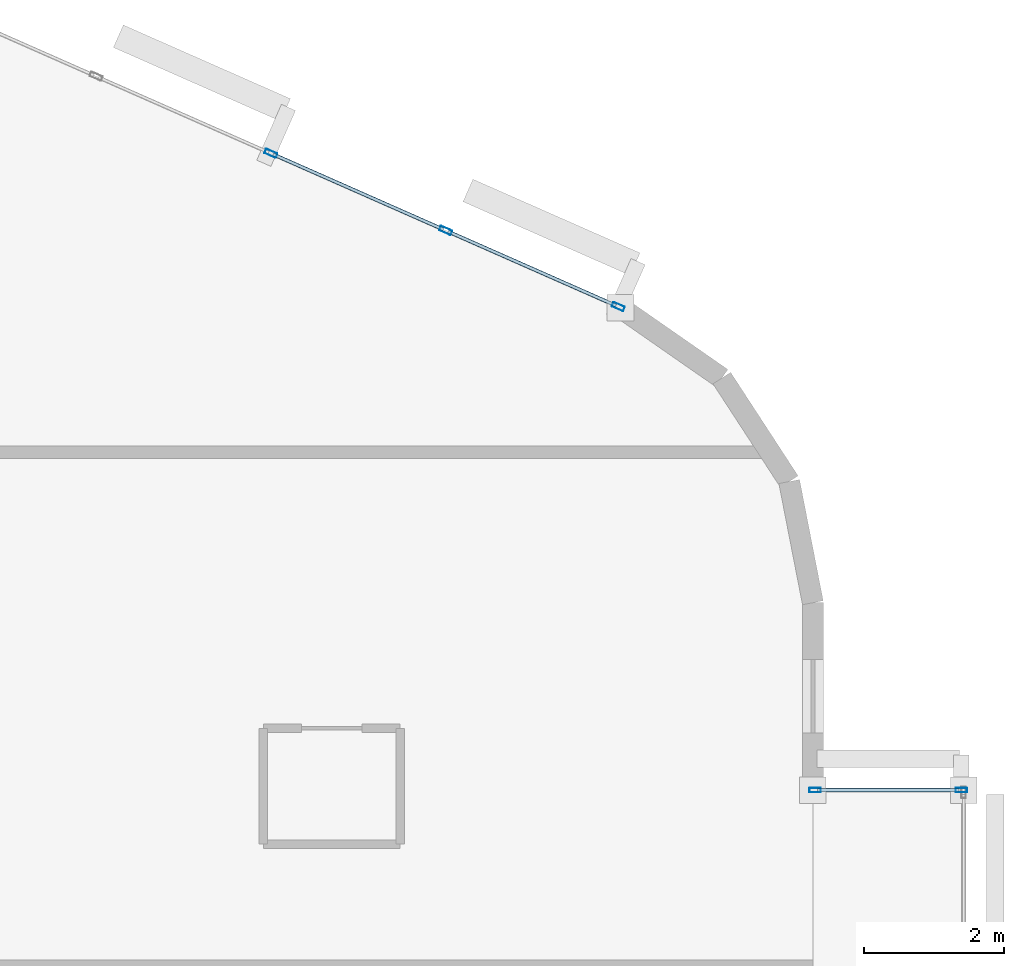
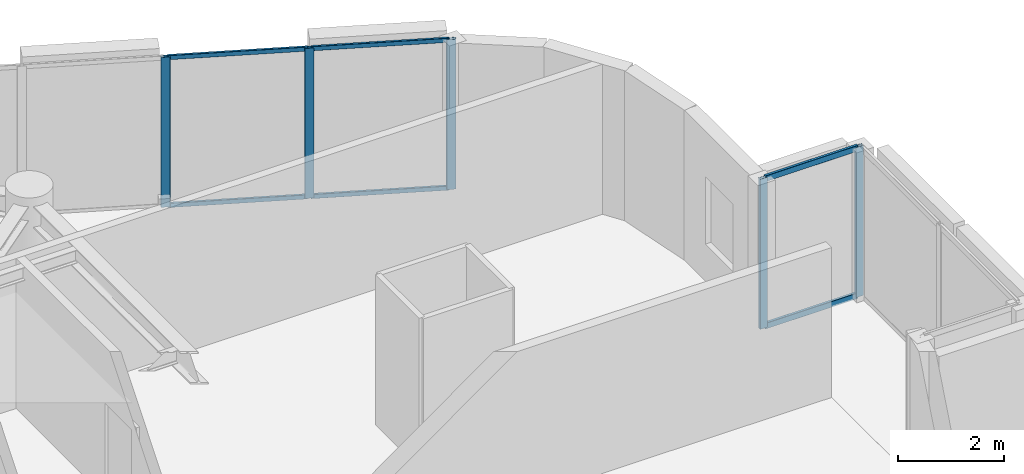
# One storey, part 7 of 13: 11 members, 2 elements without a shape of their own.
"""IFC4 building model written with IfcOpenShell, lengths in metres."""

from ifc_helpers import new_model, si_unit, direction, frame, origin, origin_2d, place, context, subcontext, project, spatial, hollow_rectangle, extrude, material, layer, layer_set, material_profile, profile_set, type_object, element, aggregate, save


model = new_model("IFC4")

# Units and contexts
model_context = context("Model", 3, precision=1e-05, world=origin(), true_north=direction((0.0, 1.0)))
body_context = subcontext(model_context, "Body", "Model", "MODEL_VIEW")
ifc_project = project(units=[si_unit("LENGTHUNIT", "METRE"), si_unit("AREAUNIT", "SQUARE_METRE"), si_unit("VOLUMEUNIT", "CUBIC_METRE"), si_unit("PLANEANGLEUNIT", "RADIAN"), si_unit("MASSUNIT", "GRAM", prefix="KILO")], contexts=[model_context])

# Site, building, storey
site_placement = place(None, origin())
site = spatial("IfcSite", under=ifc_project, at=site_placement, CompositionType="ELEMENT")
building_placement = place(site_placement, origin())
building = spatial("IfcBuilding", under=site, at=building_placement, Name="An Khanh Terracotta Commons", CompositionType="ELEMENT")
storey_placement = place(building_placement, frame((0.0, 0.0, 266.10009765625)))
storey = spatial("IfcBuildingStorey", under=building, at=storey_placement, Name="L69", CompositionType="ELEMENT", Elevation=266.10009765625)

# Curtain wall, members
ifc_material = material(Name="Anodised Aluminium 6063-T6", Category="aluminium")
ifc_layer_1 = layer(ifc_material, 0.239990234375, Name="Anodised Aluminium 6063-T6")
ifc_layer_set_1 = layer_set([ifc_layer_1], Name="Anodised Aluminium 6063-T6")
curtain_wall_type_1 = type_object("IfcCurtainWallType", Name="CW-SYS-04", PredefinedType="USERDEFINED", material=ifc_layer_set_1)
curtain_wall_1_placement = place(storey_placement, origin())
curtain_wall_1 = element("IfcCurtainWall", 1, at=curtain_wall_1_placement, inside=storey, type_object=curtain_wall_type_1, Name="L69 CW-04 Unitised Curtain Wall CW-L69-EBOX-3", ObjectType="UNITISED CURTAIN WALL", PredefinedType="USERDEFINED")
ifc_material_profile_1 = material_profile(ifc_material, hollow_rectangle(XDim=0.06494140625, YDim=0.1650390625, WallThickness=0.00390625, InnerFilletRadius=0.00390625, OuterFilletRadius=0.008056640625, at=origin_2d()), Name="RHS165x65x4")
ifc_profile_set_1 = profile_set([ifc_material_profile_1], Name="Anodised Aluminium 6063-T6")
member_type_1 = type_object("IfcMemberType", Name="CWM-RHS165x65x4", PredefinedType="MULLION", material=ifc_profile_set_1)
member_1_placement = place(storey_placement, frame((77.717529296875, 25.530029296875, 0.0), z_axis=(0.0, 0.0, 1.0), x_axis=(0.0, -1.0, 0.0)))
member_1 = element("IfcMember", 2, at=member_1_placement, type_object=member_type_1, Name="CW-04 mullion 1", PredefinedType="MULLION", context=body_context, shape_type="SweptSolid", body=[
    extrude(hollow_rectangle(XDim=0.06494140625, YDim=0.1650390625, WallThickness=0.00390625, InnerFilletRadius=0.00390625, OuterFilletRadius=0.008056640625, at=origin_2d()), origin(), (0.0, 0.0, 1.0), 3.449951171875),
])
member_2_placement = place(storey_placement, frame((75.632568359375, 25.530029296875, 0.0), z_axis=(0.0, 0.0, 1.0), x_axis=(0.0, -1.0, 0.0)))
member_2 = element("IfcMember", 3, at=member_2_placement, type_object=member_type_1, Name="CW-04 mullion 2", PredefinedType="MULLION", context=body_context, shape_type="SweptSolid", body=[
    extrude(hollow_rectangle(XDim=0.06494140625, YDim=0.1650390625, WallThickness=0.00390625, InnerFilletRadius=0.00390625, OuterFilletRadius=0.008056640625, at=origin_2d()), origin(), (0.0, 0.0, 1.0), 3.449951171875),
])

ifc_layer_2 = layer(ifc_material, 0.2099609375, Name="Anodised Aluminium 6063-T6")
ifc_layer_set_2 = layer_set([ifc_layer_2], Name="Anodised Aluminium 6063-T6")
curtain_wall_type_2 = type_object("IfcCurtainWallType", Name="CW-SYS-03", PredefinedType="USERDEFINED", material=ifc_layer_set_2)
curtain_wall_2_placement = place(storey_placement, origin())
curtain_wall_2 = element("IfcCurtainWall", 4, at=curtain_wall_2_placement, inside=storey, type_object=curtain_wall_type_2, Name="L69 CW-03 Unitised Curtain Wall CW-L69-16", ObjectType="UNITISED CURTAIN WALL", PredefinedType="USERDEFINED")
ifc_material_profile_2 = material_profile(ifc_material, hollow_rectangle(XDim=0.070068359375, YDim=0.179931640625, WallThickness=0.00390625, InnerFilletRadius=0.00390625, OuterFilletRadius=0.008056640625, at=origin_2d()), Name="RHS180x70x4")
ifc_profile_set_2 = profile_set([ifc_material_profile_2], Name="Anodised Aluminium 6063-T6")
member_type_2 = type_object("IfcMemberType", Name="CWM-RHS180x70x4", PredefinedType="MULLION", material=ifc_profile_set_2)
member_3_placement = place(storey_placement, frame((72.824951171875, 32.424072265625, 0.0), z_axis=(0.0, 0.0, 1.0), x_axis=(-0.403676354285, -0.914901853201, 0.0)))
member_3 = element("IfcMember", 5, at=member_3_placement, type_object=member_type_2, Name="CW-03 mullion 1", PredefinedType="MULLION", context=body_context, shape_type="SweptSolid", body=[
    extrude(hollow_rectangle(XDim=0.070068359375, YDim=0.179931640625, WallThickness=0.00390625, InnerFilletRadius=0.00390625, OuterFilletRadius=0.008056640625, at=origin_2d()), origin(), (0.0, 0.0, 1.0), 3.449951171875),
])
member_4_placement = place(storey_placement, frame((70.364501953125, 33.509765625, 0.0), z_axis=(0.0, 0.0, 1.0), x_axis=(-0.403676354285, -0.914901853201, 0.0)))
member_4 = element("IfcMember", 6, at=member_4_placement, type_object=member_type_2, Name="CW-03 mullion 2", PredefinedType="MULLION", context=body_context, shape_type="SweptSolid", body=[
    extrude(hollow_rectangle(XDim=0.070068359375, YDim=0.179931640625, WallThickness=0.00390625, InnerFilletRadius=0.00390625, OuterFilletRadius=0.008056640625, at=origin_2d()), origin(), (0.0, 0.0, 1.0), 3.449951171875),
])
member_5_placement = place(storey_placement, frame((67.8720703125, 34.609619140625, 0.0), z_axis=(0.0, 0.0, 1.0), x_axis=(-0.403676354285, -0.914901853201, 0.0)))
member_5 = element("IfcMember", 7, at=member_5_placement, type_object=member_type_2, Name="CW-03 mullion 3", PredefinedType="MULLION", context=body_context, shape_type="SweptSolid", body=[
    extrude(hollow_rectangle(XDim=0.070068359375, YDim=0.179931640625, WallThickness=0.00390625, InnerFilletRadius=0.00390625, OuterFilletRadius=0.008056640625, at=origin_2d()), origin(), (0.0, 0.0, 1.0), 3.449951171875),
])
ifc_material_profile_3 = material_profile(ifc_material, hollow_rectangle(XDim=0.050048828125, YDim=0.10009765625, WallThickness=0.003173828125, InnerFilletRadius=0.003173828125, OuterFilletRadius=0.00634765625, at=origin_2d()), Name="RHS100x50x3.2")
ifc_profile_set_3 = profile_set([ifc_material_profile_3], Name="Anodised Aluminium 6063-T6")
member_type_3 = type_object("IfcMemberType", Name="CWT-RHS100x50x3.2", PredefinedType="USERDEFINED", material=ifc_profile_set_3)
member_6_placement = place(storey_placement, frame((72.79296875, 32.438232421875, 0.02490234375), z_axis=(-0.914903627858, 0.403672332137, 0.0), x_axis=(-0.403672332137, -0.914903627858, 0.0)))
member_6 = element("IfcMember", 8, at=member_6_placement, type_object=member_type_3, Name="CW-03 transom 1.1", ObjectType="TRANSOM", PredefinedType="USERDEFINED", context=body_context, shape_type="SweptSolid", body=[
    extrude(hollow_rectangle(XDim=0.050048828125, YDim=0.10009765625, WallThickness=0.003173828125, InnerFilletRadius=0.003173828125, OuterFilletRadius=0.00634765625, at=origin_2d()), origin(), (0.0, 0.0, 1.0), 2.619384765625),
])
member_7_placement = place(storey_placement, frame((72.79296875, 32.438232421875, 3.4248046875), z_axis=(-0.914903627858, 0.403672332137, 0.0), x_axis=(-0.403672332137, -0.914903627858, 0.0)))
member_7 = element("IfcMember", 9, at=member_7_placement, type_object=member_type_3, Name="CW-03 transom 1.2", ObjectType="TRANSOM", PredefinedType="USERDEFINED", context=body_context, shape_type="SweptSolid", body=[
    extrude(hollow_rectangle(XDim=0.050048828125, YDim=0.10009765625, WallThickness=0.003173828125, InnerFilletRadius=0.003173828125, OuterFilletRadius=0.00634765625, at=origin_2d()), origin(), (0.0, 0.0, 1.0), 2.619384765625),
])
member_8_placement = place(storey_placement, frame((70.33251953125, 33.52392578125, 0.02490234375), z_axis=(-0.914896820753, 0.403687759755, 0.0), x_axis=(-0.403687759755, -0.914896820753, 0.0)))
member_8 = element("IfcMember", 10, at=member_8_placement, type_object=member_type_3, Name="CW-03 transom 2.1", ObjectType="TRANSOM", PredefinedType="USERDEFINED", context=body_context, shape_type="SweptSolid", body=[
    extrude(hollow_rectangle(XDim=0.050048828125, YDim=0.10009765625, WallThickness=0.003173828125, InnerFilletRadius=0.003173828125, OuterFilletRadius=0.00634765625, at=origin_2d()), origin(), (0.0, 0.0, 1.0), 2.654296875),
])
member_9_placement = place(storey_placement, frame((70.33251953125, 33.52392578125, 3.4248046875), z_axis=(-0.914896820753, 0.403687759755, 0.0), x_axis=(-0.403687759755, -0.914896820753, 0.0)))
member_9 = element("IfcMember", 11, at=member_9_placement, type_object=member_type_3, Name="CW-03 transom 2.2", ObjectType="TRANSOM", PredefinedType="USERDEFINED", context=body_context, shape_type="SweptSolid", body=[
    extrude(hollow_rectangle(XDim=0.050048828125, YDim=0.10009765625, WallThickness=0.003173828125, InnerFilletRadius=0.003173828125, OuterFilletRadius=0.00634765625, at=origin_2d()), origin(), (0.0, 0.0, 1.0), 2.654296875),
])
aggregate(curtain_wall_2, [member_3, member_4, member_5, member_6, member_7, member_8, member_9])

# Member
ifc_material_profile_4 = material_profile(ifc_material, hollow_rectangle(XDim=0.06005859375, YDim=0.135009765625, WallThickness=0.003662109375, InnerFilletRadius=0.003662109375, OuterFilletRadius=0.007080078125, at=origin_2d()), Name="RHS135x60x3.6")
ifc_profile_set_4 = profile_set([ifc_material_profile_4], Name="Anodised Aluminium 6063-T6")
member_type_4 = type_object("IfcMemberType", Name="CWT-RHS135x60x3.6", PredefinedType="USERDEFINED", material=ifc_profile_set_4)
member_10_placement = place(storey_placement, frame((77.68505859375, 25.530029296875, 0.02978515625), z_axis=(-1.0, 0.0, 0.0), x_axis=(0.0, -1.0, 0.0)))
member_10 = element("IfcMember", 12, at=member_10_placement, type_object=member_type_4, Name="CW-04 transom 1.1", ObjectType="TRANSOM", PredefinedType="USERDEFINED", context=body_context, shape_type="SweptSolid", body=[
    extrude(hollow_rectangle(XDim=0.06005859375, YDim=0.135009765625, WallThickness=0.003662109375, InnerFilletRadius=0.003662109375, OuterFilletRadius=0.007080078125, at=origin_2d()), origin(), (0.0, 0.0, 1.0), 2.02001953125),
])

member_11_placement = place(storey_placement, frame((77.68505859375, 25.530029296875, 3.419921875), z_axis=(-1.0, 0.0, 0.0), x_axis=(0.0, -1.0, 0.0)))
member_11 = element("IfcMember", 13, at=member_11_placement, type_object=member_type_4, Name="CW-04 transom 1.2", ObjectType="TRANSOM", PredefinedType="USERDEFINED", context=body_context, shape_type="SweptSolid", body=[
    extrude(hollow_rectangle(XDim=0.06005859375, YDim=0.135009765625, WallThickness=0.003662109375, InnerFilletRadius=0.003662109375, OuterFilletRadius=0.007080078125, at=origin_2d()), origin(), (0.0, 0.0, 1.0), 2.02001953125),
])

aggregate(curtain_wall_1, [member_1, member_2, member_10, member_11])

save(model, "model.ifc")
